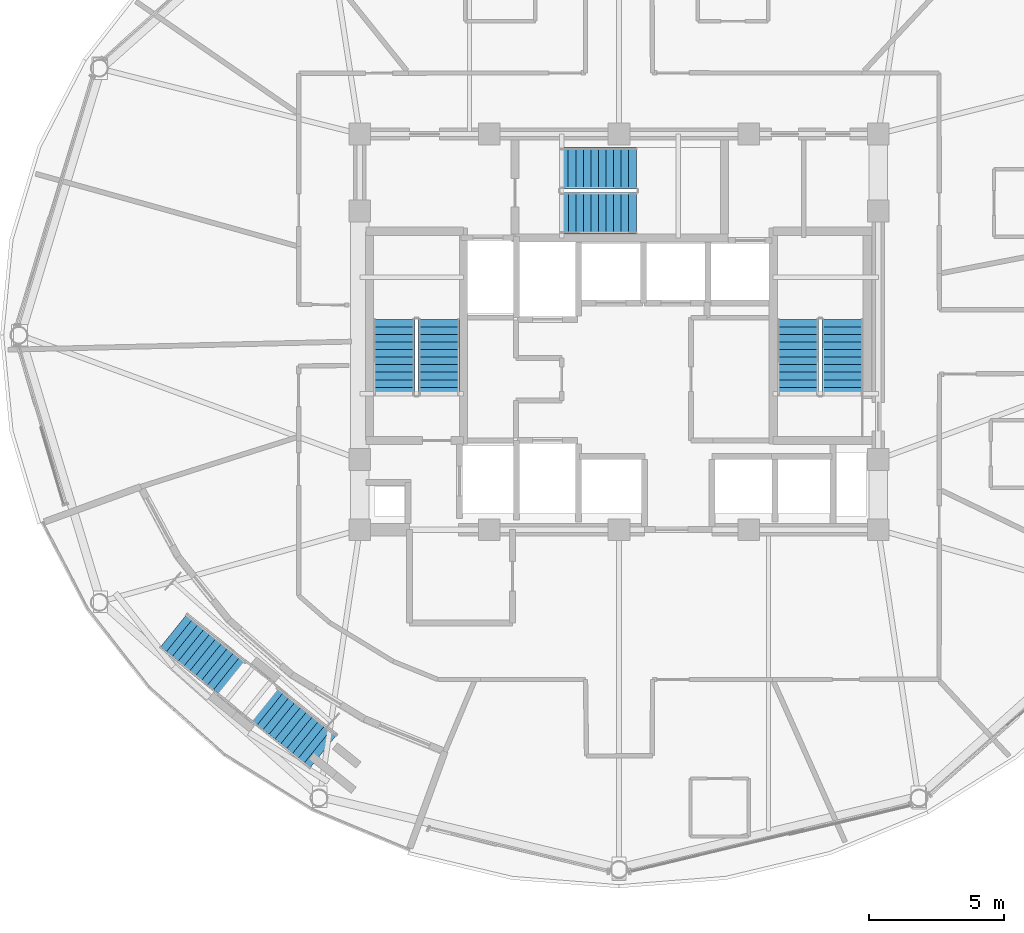
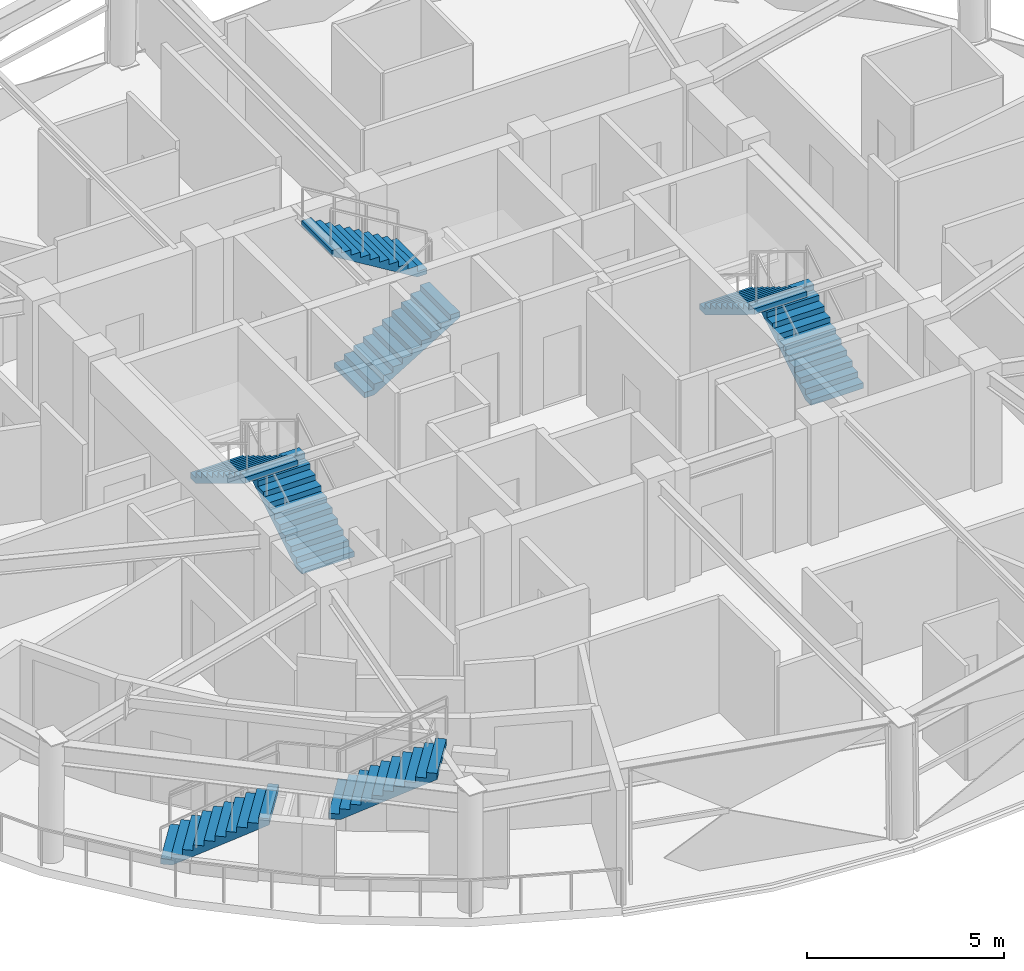
# One storey, part 13 of 17: 8 stair flights, 4 elements without a shape of their own.
"""IFC4 building model written with IfcOpenShell, lengths in metres."""

from ifc_helpers import new_model, si_unit, direction, frame, origin, place, context, subcontext, project, spatial, polyline, outline, extrude, material, type_object, element, aggregate, save


model = new_model("IFC4")

# Units and contexts
model_context = context("Model", 3, precision=1e-05, world=origin(), true_north=direction((0.0, 1.0)))
body_context = subcontext(model_context, "Body", "Model", "MODEL_VIEW")
ifc_project = project(units=[si_unit("LENGTHUNIT", "METRE"), si_unit("AREAUNIT", "SQUARE_METRE"), si_unit("VOLUMEUNIT", "CUBIC_METRE"), si_unit("PLANEANGLEUNIT", "RADIAN"), si_unit("MASSUNIT", "GRAM", prefix="KILO")], contexts=[model_context])

# Site, building, storey
site_placement = place(None, origin())
site = spatial("IfcSite", under=ifc_project, at=site_placement, CompositionType="ELEMENT")
building_placement = place(site_placement, origin())
building = spatial("IfcBuilding", under=site, at=building_placement, Name="Vantalir Tower", CompositionType="ELEMENT")
storey_placement = place(building_placement, frame((0.0, 0.0, 208.64990234375)))
storey = spatial("IfcBuildingStorey", under=building, at=storey_placement, Name="L52", CompositionType="ELEMENT", Elevation=208.64990234375)

# Stair, stair flights
ifc_material_1 = material(Name="Concrete C40/50", Category="concrete")
stair_type_1 = type_object("IfcStairType", Name="STR-CORE-1450", PredefinedType="HALF_TURN_STAIR", material=ifc_material_1)
stair_1_placement = place(storey_placement, origin())
stair_1 = element("IfcStair", 1, at=stair_1_placement, inside=storey, type_object=stair_type_1, Name="L52 Core Exit Stair 1", PredefinedType="HALF_TURN_STAIR")
stair_flight_type_1 = type_object("IfcStairFlightType", Name="FLT-CORE-1450", PredefinedType="STRAIGHT", material=ifc_material_1)
stair_flight_1_placement = place(storey_placement, frame((24.830078125, 22.7900390625, 0.0), z_axis=(0.0, 0.0, 1.0), x_axis=(0.0, 1.0, 0.0)))
stair_flight_1 = element("IfcStairFlight", 2, at=stair_flight_1_placement, type_object=stair_flight_type_1, Name="ST1 flight 1", NumberOfRisers=11, NumberOfTreads=10, PredefinedType="STRAIGHT", RiserHeight=0.170454545, TreadLength=0.28, context=body_context, shape_type="SweptSolid", body=[
    extrude(outline(polyline([(0.0, 0.0), (0.0, 0.17041015625), (0.280029296875, 0.17041015625), (0.280029296875, 0.3408203125), (0.56005859375, 0.3408203125), (0.56005859375, 0.511474609375), (0.840087890625, 0.511474609375), (0.840087890625, 0.681884765625), (1.1201171875, 0.681884765625), (1.1201171875, 0.852294921875), (1.39990234375, 0.852294921875), (1.39990234375, 1.022705078125), (1.679931640625, 1.022705078125), (1.679931640625, 1.193115234375), (1.9599609375, 1.193115234375), (1.9599609375, 1.363525390625), (2.239990234375, 1.363525390625), (2.239990234375, 1.5341796875), (2.52001953125, 1.5341796875), (2.52001953125, 1.70458984375), (2.800048828125, 1.70458984375), (2.800048828125, 1.875), (2.800048828125, 1.529052734375), (0.288330078125, 0.0), (0.0, 0.0)])), frame((0.0, 0.77001953125, 0.0), z_axis=(0.0, -1.0, 0.0), x_axis=(1.0, 0.0, 0.0)), (0.0, 0.0, 1.0), 1.5400390625),
])
stair_flight_2_placement = place(storey_placement, frame((23.169921875, 25.590087890625, 1.875), z_axis=(0.0, 0.0, 1.0), x_axis=(0.0, -1.0, 0.0)))
stair_flight_2 = element("IfcStairFlight", 3, at=stair_flight_2_placement, type_object=stair_flight_type_1, Name="ST1 flight 2", NumberOfRisers=11, NumberOfTreads=10, PredefinedType="STRAIGHT", RiserHeight=0.170454545, TreadLength=0.28, context=body_context, shape_type="SweptSolid", body=[
    extrude(outline(polyline([(0.0, 0.0), (0.0, 0.17041015625), (0.280029296875, 0.17041015625), (0.280029296875, 0.3408203125), (0.56005859375, 0.3408203125), (0.56005859375, 0.511474609375), (0.840087890625, 0.511474609375), (0.840087890625, 0.681884765625), (1.1201171875, 0.681884765625), (1.1201171875, 0.852294921875), (1.39990234375, 0.852294921875), (1.39990234375, 1.022705078125), (1.679931640625, 1.022705078125), (1.679931640625, 1.193115234375), (1.9599609375, 1.193115234375), (1.9599609375, 1.363525390625), (2.239990234375, 1.363525390625), (2.239990234375, 1.5341796875), (2.52001953125, 1.5341796875), (2.52001953125, 1.70458984375), (2.800048828125, 1.70458984375), (2.800048828125, 1.875), (2.800048828125, 1.529052734375), (0.288330078125, 0.0), (0.0, 0.0)])), frame((0.0, 0.77001953125, 0.0), z_axis=(0.0, -1.0, 0.0), x_axis=(1.0, 0.0, 0.0)), (0.0, 0.0, 1.0), 1.5400390625),
])
aggregate(stair_1, [stair_flight_1, stair_flight_2])

stair_2_placement = place(storey_placement, origin())
stair_2 = element("IfcStair", 4, at=stair_2_placement, inside=storey, type_object=stair_type_1, Name="L52 Core Exit Stair 2", PredefinedType="HALF_TURN_STAIR")
stair_flight_3_placement = place(storey_placement, frame((39.780029296875, 22.7900390625, 0.0), z_axis=(0.0, 0.0, 1.0), x_axis=(0.0, 1.0, 0.0)))
stair_flight_3 = element("IfcStairFlight", 5, at=stair_flight_3_placement, type_object=stair_flight_type_1, Name="ST2 flight 1", NumberOfRisers=11, NumberOfTreads=10, PredefinedType="STRAIGHT", RiserHeight=0.170454545, TreadLength=0.28, context=body_context, shape_type="SweptSolid", body=[
    extrude(outline(polyline([(0.0, 0.0), (0.0, 0.17041015625), (0.280029296875, 0.17041015625), (0.280029296875, 0.3408203125), (0.56005859375, 0.3408203125), (0.56005859375, 0.511474609375), (0.840087890625, 0.511474609375), (0.840087890625, 0.681884765625), (1.1201171875, 0.681884765625), (1.1201171875, 0.852294921875), (1.39990234375, 0.852294921875), (1.39990234375, 1.022705078125), (1.679931640625, 1.022705078125), (1.679931640625, 1.193115234375), (1.9599609375, 1.193115234375), (1.9599609375, 1.363525390625), (2.239990234375, 1.363525390625), (2.239990234375, 1.5341796875), (2.52001953125, 1.5341796875), (2.52001953125, 1.70458984375), (2.800048828125, 1.70458984375), (2.800048828125, 1.875), (2.800048828125, 1.529052734375), (0.288330078125, 0.0), (0.0, 0.0)])), frame((0.0, 0.77001953125, 0.0), z_axis=(0.0, -1.0, 0.0), x_axis=(1.0, 0.0, 0.0)), (0.0, 0.0, 1.0), 1.5400390625),
])
stair_flight_4_placement = place(storey_placement, frame((38.1201171875, 25.590087890625, 1.875), z_axis=(0.0, 0.0, 1.0), x_axis=(0.0, -1.0, 0.0)))
stair_flight_4 = element("IfcStairFlight", 6, at=stair_flight_4_placement, type_object=stair_flight_type_1, Name="ST2 flight 2", NumberOfRisers=11, NumberOfTreads=10, PredefinedType="STRAIGHT", RiserHeight=0.170454545, TreadLength=0.28, context=body_context, shape_type="SweptSolid", body=[
    extrude(outline(polyline([(0.0, 0.0), (0.0, 0.17041015625), (0.280029296875, 0.17041015625), (0.280029296875, 0.3408203125), (0.56005859375, 0.3408203125), (0.56005859375, 0.511474609375), (0.840087890625, 0.511474609375), (0.840087890625, 0.681884765625), (1.1201171875, 0.681884765625), (1.1201171875, 0.852294921875), (1.39990234375, 0.852294921875), (1.39990234375, 1.022705078125), (1.679931640625, 1.022705078125), (1.679931640625, 1.193115234375), (1.9599609375, 1.193115234375), (1.9599609375, 1.363525390625), (2.239990234375, 1.363525390625), (2.239990234375, 1.5341796875), (2.52001953125, 1.5341796875), (2.52001953125, 1.70458984375), (2.800048828125, 1.70458984375), (2.800048828125, 1.875), (2.800048828125, 1.529052734375), (0.288330078125, 0.0), (0.0, 0.0)])), frame((0.0, 0.77001953125, 0.0), z_axis=(0.0, -1.0, 0.0), x_axis=(1.0, 0.0, 0.0)), (0.0, 0.0, 1.0), 1.5400390625),
])
aggregate(stair_2, [stair_flight_3, stair_flight_4])

stair_3_placement = place(storey_placement, origin())
stair_3 = element("IfcStair", 7, at=stair_3_placement, inside=storey, type_object=stair_type_1, Name="L52 Core Exit Stair 3", PredefinedType="HALF_TURN_STAIR")
stair_flight_5_placement = place(storey_placement, frame((29.340087890625, 29.52001953125, 0.0), z_axis=(0.0, 0.0, 1.0), x_axis=(1.0, 0.0, 0.0)))
stair_flight_5 = element("IfcStairFlight", 8, at=stair_flight_5_placement, type_object=stair_flight_type_1, Name="ST3 flight 1", NumberOfRisers=11, NumberOfTreads=10, PredefinedType="STRAIGHT", RiserHeight=0.170454545, TreadLength=0.28, context=body_context, shape_type="SweptSolid", body=[
    extrude(outline(polyline([(0.0, 0.0), (0.0, 0.17041015625), (0.280029296875, 0.17041015625), (0.280029296875, 0.3408203125), (0.56005859375, 0.3408203125), (0.56005859375, 0.511474609375), (0.840087890625, 0.511474609375), (0.840087890625, 0.681884765625), (1.1201171875, 0.681884765625), (1.1201171875, 0.852294921875), (1.39990234375, 0.852294921875), (1.39990234375, 1.022705078125), (1.679931640625, 1.022705078125), (1.679931640625, 1.193115234375), (1.9599609375, 1.193115234375), (1.9599609375, 1.363525390625), (2.239990234375, 1.363525390625), (2.239990234375, 1.5341796875), (2.52001953125, 1.5341796875), (2.52001953125, 1.70458984375), (2.800048828125, 1.70458984375), (2.800048828125, 1.875), (2.800048828125, 1.529052734375), (0.288330078125, 0.0), (0.0, 0.0)])), frame((0.0, 0.77001953125, 0.0), z_axis=(0.0, -1.0, 0.0), x_axis=(1.0, 0.0, 0.0)), (0.0, 0.0, 1.0), 1.5400390625),
])
stair_flight_6_placement = place(storey_placement, frame((32.139892578125, 31.179931640625, 1.875), z_axis=(0.0, 0.0, 1.0), x_axis=(-1.0, 0.0, 0.0)))
stair_flight_6 = element("IfcStairFlight", 9, at=stair_flight_6_placement, type_object=stair_flight_type_1, Name="ST3 flight 2", NumberOfRisers=11, NumberOfTreads=10, PredefinedType="STRAIGHT", RiserHeight=0.170454545, TreadLength=0.28, context=body_context, shape_type="SweptSolid", body=[
    extrude(outline(polyline([(0.0, 0.0), (0.0, 0.17041015625), (0.280029296875, 0.17041015625), (0.280029296875, 0.3408203125), (0.56005859375, 0.3408203125), (0.56005859375, 0.511474609375), (0.840087890625, 0.511474609375), (0.840087890625, 0.681884765625), (1.1201171875, 0.681884765625), (1.1201171875, 0.852294921875), (1.39990234375, 0.852294921875), (1.39990234375, 1.022705078125), (1.679931640625, 1.022705078125), (1.679931640625, 1.193115234375), (1.9599609375, 1.193115234375), (1.9599609375, 1.363525390625), (2.239990234375, 1.363525390625), (2.239990234375, 1.5341796875), (2.52001953125, 1.5341796875), (2.52001953125, 1.70458984375), (2.800048828125, 1.70458984375), (2.800048828125, 1.875), (2.800048828125, 1.529052734375), (0.288330078125, 0.0), (0.0, 0.0)])), frame((0.0, 0.77001953125, 0.0), z_axis=(0.0, -1.0, 0.0), x_axis=(1.0, 0.0, 0.0)), (0.0, 0.0, 1.0), 1.5400390625),
])
aggregate(stair_3, [stair_flight_5, stair_flight_6])

ifc_material_2 = material(Name="Steel S355", Category="steel")
stair_type_2 = type_object("IfcStairType", Name="STR-SKYGARDEN-1550", PredefinedType="STRAIGHT_RUN_STAIR", material=ifc_material_2)
stair_4_placement = place(storey_placement, origin())
stair_4 = element("IfcStair", 10, at=stair_4_placement, inside=storey, type_object=stair_type_2, Name="Sky Garden Feature Stair SG3", PredefinedType="STRAIGHT_RUN_STAIR")
stair_flight_type_2 = type_object("IfcStairFlightType", Name="FLT-SKYGARDEN-1550", PredefinedType="STRAIGHT", material=ifc_material_2)
stair_flight_7_placement = place(storey_placement, frame((15.010986328125, 14.06396484375, 0.0), z_axis=(0.0, 0.0, 1.0), x_axis=(0.778521456627, -0.62761799016, 0.0)))
stair_flight_7 = element("IfcStairFlight", 11, at=stair_flight_7_placement, type_object=stair_flight_type_2, Name="ST-SG3 flight 1", NumberOfRisers=11, NumberOfTreads=10, PredefinedType="STRAIGHT", RiserHeight=0.170455, TreadLength=0.28, context=body_context, shape_type="SweptSolid", body=[
    extrude(outline(polyline([(0.0, 0.0), (0.0, 0.17041015625), (0.280029296875, 0.17041015625), (0.280029296875, 0.3408203125), (0.56005859375, 0.3408203125), (0.56005859375, 0.511474609375), (0.840087890625, 0.511474609375), (0.840087890625, 0.681884765625), (1.1201171875, 0.681884765625), (1.1201171875, 0.852294921875), (1.39990234375, 0.852294921875), (1.39990234375, 1.022705078125), (1.679931640625, 1.022705078125), (1.679931640625, 1.193115234375), (1.9599609375, 1.193115234375), (1.9599609375, 1.363525390625), (2.239990234375, 1.363525390625), (2.239990234375, 1.5341796875), (2.52001953125, 1.5341796875), (2.52001953125, 1.70458984375), (2.800048828125, 1.70458984375), (2.800048828125, 1.875), (2.800048828125, 1.517333984375), (0.3076171875, 0.0), (0.0, 0.0)])), frame((0.0, 0.77490234375, 0.0), z_axis=(0.0, -1.0, 0.0), x_axis=(1.0, 0.0, 0.0)), (0.0, 0.0, 1.0), 1.550048828125),
])
stair_flight_8_placement = place(storey_placement, frame((18.3740234375, 11.35302734375, 1.875), z_axis=(0.0, 0.0, 1.0), x_axis=(0.778521456627, -0.62761799016, 0.0)))
stair_flight_8 = element("IfcStairFlight", 12, at=stair_flight_8_placement, type_object=stair_flight_type_2, Name="ST-SG3 flight 2", NumberOfRisers=11, NumberOfTreads=10, PredefinedType="STRAIGHT", RiserHeight=0.170455, TreadLength=0.28, context=body_context, shape_type="SweptSolid", body=[
    extrude(outline(polyline([(0.0, 0.0), (0.0, 0.17041015625), (0.280029296875, 0.17041015625), (0.280029296875, 0.3408203125), (0.56005859375, 0.3408203125), (0.56005859375, 0.511474609375), (0.840087890625, 0.511474609375), (0.840087890625, 0.681884765625), (1.1201171875, 0.681884765625), (1.1201171875, 0.852294921875), (1.39990234375, 0.852294921875), (1.39990234375, 1.022705078125), (1.679931640625, 1.022705078125), (1.679931640625, 1.193115234375), (1.9599609375, 1.193115234375), (1.9599609375, 1.363525390625), (2.239990234375, 1.363525390625), (2.239990234375, 1.5341796875), (2.52001953125, 1.5341796875), (2.52001953125, 1.70458984375), (2.800048828125, 1.70458984375), (2.800048828125, 1.875), (2.800048828125, 1.517333984375), (0.3076171875, 0.0), (0.0, 0.0)])), frame((0.0, 0.77490234375, 0.0), z_axis=(0.0, -1.0, 0.0), x_axis=(1.0, 0.0, 0.0)), (0.0, 0.0, 1.0), 1.550048828125),
])
aggregate(stair_4, [stair_flight_7, stair_flight_8])

save(model, "model.ifc")
